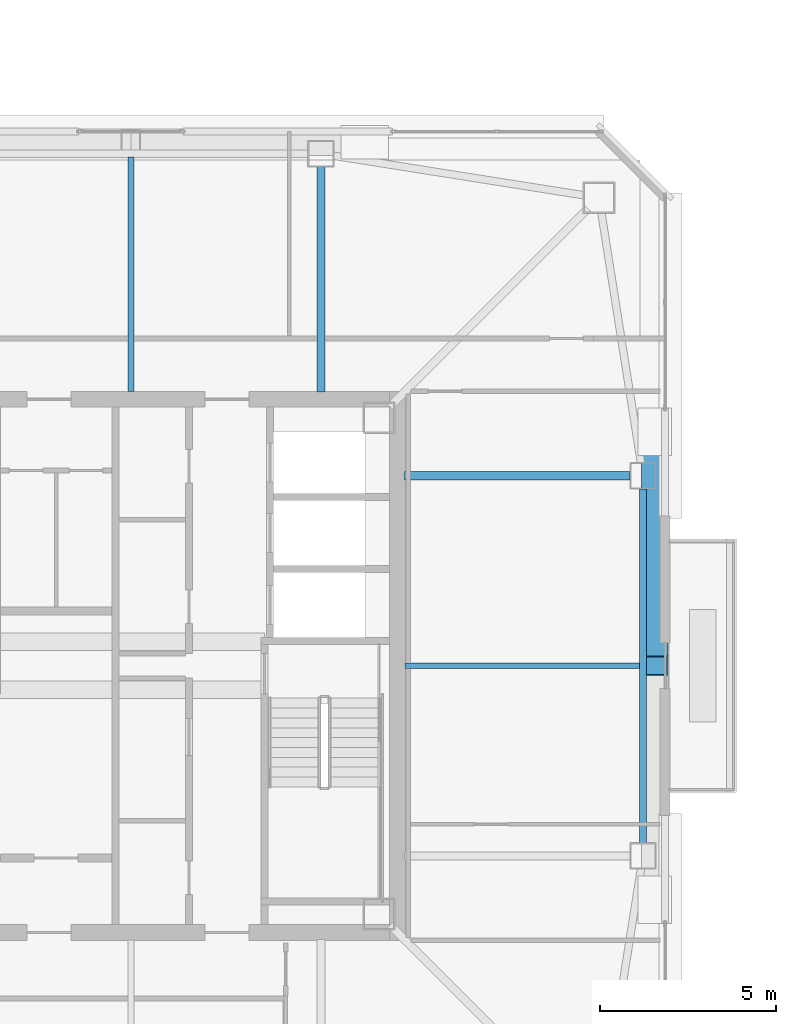
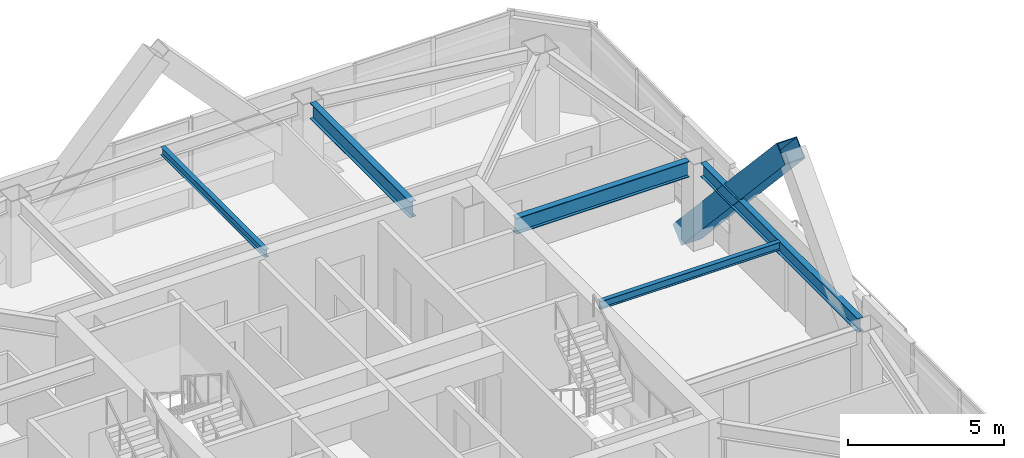
# One storey, part 12 of 24: 5 beams, 1 member.
"""IFC4 building model written with IfcOpenShell, lengths in metres."""

from ifc_helpers import new_model, si_unit, direction, frame, origin, origin_2d, place, context, subcontext, project, spatial, hollow_rectangle, i_section, extrude, material, material_profile, profile_set, type_object, element, save


model = new_model("IFC4")

# Units and contexts
model_context = context("Model", 3, precision=1e-05, world=origin(), true_north=direction((0.0, 1.0)))
body_context = subcontext(model_context, "Body", "Model", "MODEL_VIEW")
ifc_project = project(units=[si_unit("LENGTHUNIT", "METRE"), si_unit("AREAUNIT", "SQUARE_METRE"), si_unit("VOLUMEUNIT", "CUBIC_METRE"), si_unit("PLANEANGLEUNIT", "RADIAN"), si_unit("MASSUNIT", "GRAM", prefix="KILO")], contexts=[model_context])

# Site, building, storey
site_placement = place(None, origin())
site = spatial("IfcSite", under=ifc_project, at=site_placement, CompositionType="ELEMENT")
building_placement = place(site_placement, origin())
building = spatial("IfcBuilding", under=site, at=building_placement, Name="Tashvorn Skyway Center", CompositionType="ELEMENT")
storey_placement = place(building_placement, frame((0.0, 0.0, 270.5)))
storey = spatial("IfcBuildingStorey", under=building, at=storey_placement, Name="L73", CompositionType="ELEMENT", Elevation=270.5)

# Beams
ifc_material_1 = material(Name="Steel ASTM A992 Grade 50", Category="steel")
ifc_material_profile_1 = material_profile(ifc_material_1, i_section(OverallWidth=0.22998046875, OverallDepth=0.616943359375, WebThickness=0.01318359375, FlangeThickness=0.022216796875, at=origin_2d()), Name="W24X94")
ifc_profile_set_1 = profile_set([ifc_material_profile_1], Name="Steel ASTM A992 Grade 50")
beam_type_1 = type_object("IfcBeamType", Name="BM-BEAM-W24X94", PredefinedType="BEAM", material=ifc_profile_set_1)
for number, where, z_axis, x_axis, name in (
    (1, (56.179931640625, 37.39990234375, 3.0615234375), (-1.0, 0.0, 0.0), (0.0, -1.0, 0.0), "Tower 1 L73 Primary Floor Girder FC-E2"),
    (2, (47.39990234375, 46.179931640625, 3.0615234375), (0.0, -1.0, 0.0), (1.0, 0.0, 0.0), "Tower 1 L73 Primary Floor Girder FC-N1"),
):
    element("IfcBeam", number, at=place(storey_placement, frame(where, z_axis=z_axis, x_axis=x_axis)), inside=storey, type_object=beam_type_1, Name=name, PredefinedType="BEAM", context=body_context, shape_type="SweptSolid", body=[
        extrude(i_section(OverallWidth=0.22998046875, OverallDepth=0.616943359375, WebThickness=0.01318359375, FlangeThickness=0.022216796875, at=origin_2d()), origin(), (0.0, 0.0, 1.0), 6.39990234375),
    ])
ifc_material_profile_2 = material_profile(ifc_material_1, i_section(OverallWidth=0.1650390625, OverallDepth=0.31005859375, WebThickness=0.005859375, FlangeThickness=0.009765625, at=origin_2d()), Name="W12X26")
ifc_profile_set_2 = profile_set([ifc_material_profile_2], Name="Steel ASTM A992 Grade 50")
beam_type_2 = type_object("IfcBeamType", Name="BM-JOIST-W12X26", PredefinedType="JOIST", material=ifc_profile_set_2)
for number, where, z_axis, x_axis, name in (
    (3, (42.0, 39.7900390625, 3.215087890625), (0.0, 1.0, 0.0), (-1.0, 0.0, 0.0), "Tower 1 L73 Secondary Composite Joist JN"),
    (4, (49.7900390625, 32.0, 3.215087890625), (1.0, 0.0, 0.0), (0.0, 1.0, 0.0), "Tower 1 L73 Secondary Composite Joist JE"),
):
    element("IfcBeam", number, at=place(storey_placement, frame(where, z_axis=z_axis, x_axis=x_axis)), inside=storey, type_object=beam_type_2, Name=name, PredefinedType="JOIST", context=body_context, shape_type="SweptSolid", body=[
        extrude(i_section(OverallWidth=0.1650390625, OverallDepth=0.31005859375, WebThickness=0.005859375, FlangeThickness=0.009765625, at=origin_2d()), origin(), (0.0, 0.0, 1.0), 6.662353515625),
    ])
ifc_material_profile_3 = material_profile(ifc_material_1, i_section(OverallWidth=0.2109375, OverallDepth=0.5390625, WebThickness=0.01171875, FlangeThickness=0.018798828125, at=origin_2d()), Name="W21X73")
ifc_profile_set_3 = profile_set([ifc_material_profile_3], Name="Steel ASTM A992 Grade 50")
beam_type_3 = type_object("IfcBeamType", Name="BM-SPANDREL-W21X73", PredefinedType="SPANDREL", material=ifc_profile_set_3)
beam_placement = place(storey_placement, frame((56.550048828125, 26.969970703125, 3.1005859375), z_axis=(0.0, 1.0, 0.0), x_axis=(-1.0, 0.0, 0.0)))
element("IfcBeam", 5, at=beam_placement, inside=storey, type_object=beam_type_3, Name="Tower 1 L73 Spandrel Beam 05", PredefinedType="SPANDREL", context=body_context, shape_type="SweptSolid", body=[
    extrude(i_section(OverallWidth=0.2109375, OverallDepth=0.5390625, WebThickness=0.01171875, FlangeThickness=0.018798828125, at=origin_2d()), origin(), (0.0, 0.0, 1.0), 10.06005859375),
])

# Member
ifc_material_2 = material(Name="Steel ASTM A572 Grade 50", Category="steel")
ifc_material_profile_4 = material_profile(ifc_material_2, hollow_rectangle(XDim=0.75, YDim=0.75, WallThickness=0.031982421875, at=origin_2d()), Name="BOX750x750x32")
ifc_profile_set_4 = profile_set([ifc_material_profile_4], Name="Steel ASTM A572 Grade 50")
member_type = type_object("IfcMemberType", Name="MEM-MB-750", PredefinedType="BRACE", material=ifc_profile_set_4)
member_placement = place(storey_placement, frame((56.8798828125, 38.64990234375, -0.449951171875), z_axis=(0.0, -0.678489061697, 0.734610504388), x_axis=(1.0, 0.0, 0.0)))
element("IfcMember", 6, at=member_placement, inside=storey, type_object=member_type, Name="Tower 1 Zone 7 E Chevron Mega-Brace R2", PredefinedType="BRACE", context=body_context, shape_type="SweptSolid", body=[
    extrude(hollow_rectangle(XDim=0.75, YDim=0.75, WallThickness=0.031982421875, at=origin_2d()), origin(), (0.0, 0.0, 1.0), 9.801025390625),
])

save(model, "model.ifc")
